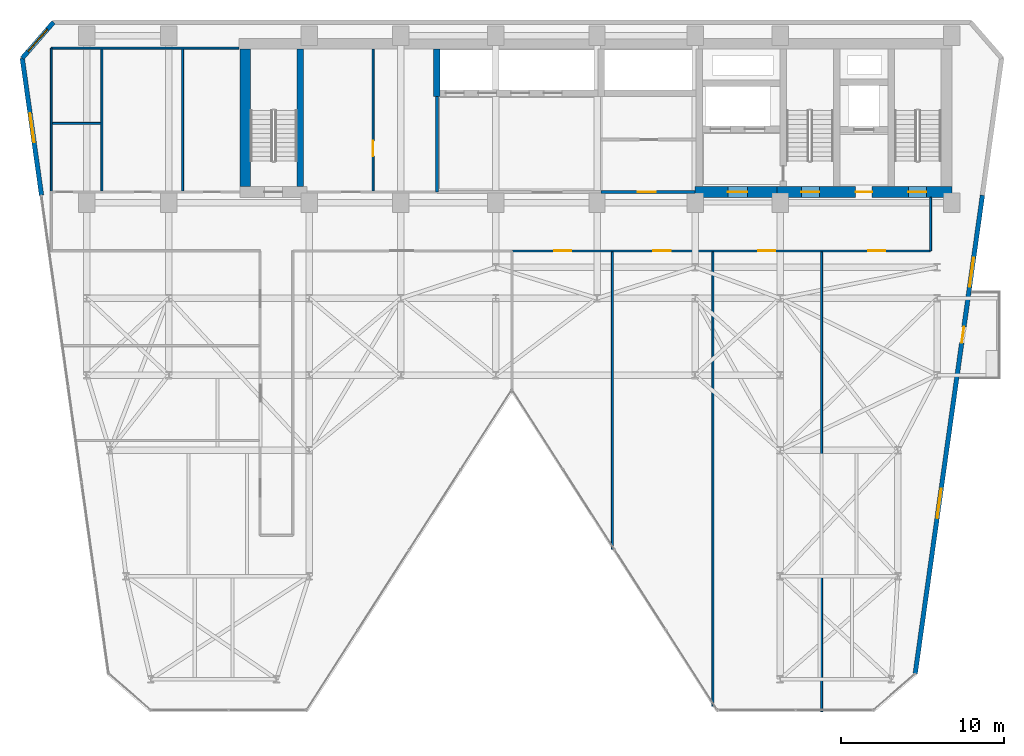
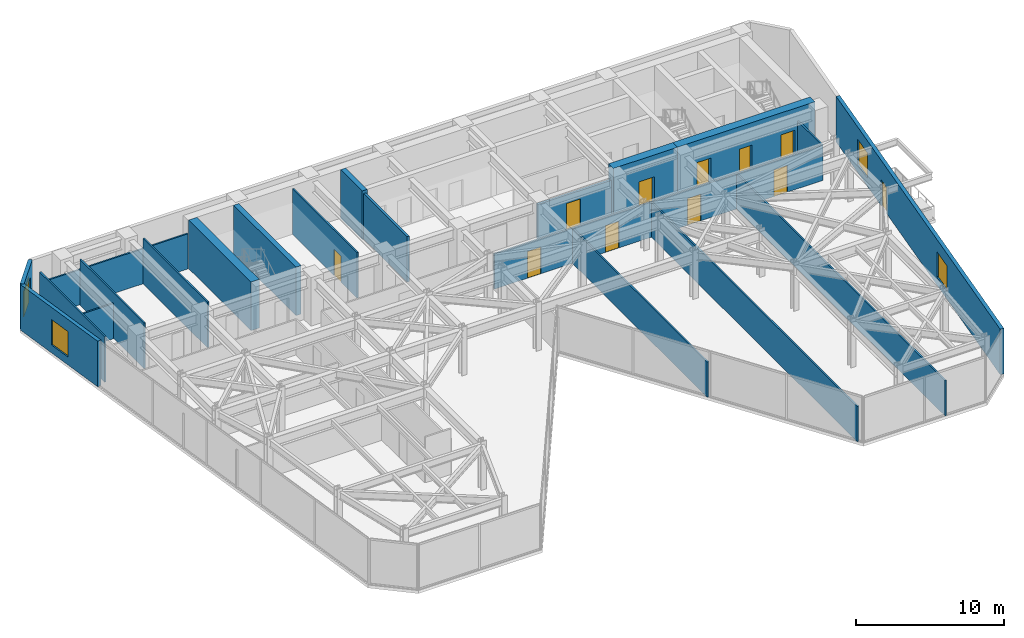
# One storey, part 22 of 26: 21 walls, 11 doors, 4 windows, 15 openings.
"""IFC4 building model written with IfcOpenShell, lengths in metres."""

from ifc_helpers import new_model, si_unit, direction, frame, frame_2d, origin, place, context, subcontext, project, spatial, rectangle, extrude, material, layer, layer_set, type_object, element, fill, save


model = new_model("IFC4")

# Units and contexts
model_context = context("Model", 3, precision=1e-05, world=origin(), true_north=direction((0.0, 1.0)))
body_context = subcontext(model_context, "Body", "Model", "MODEL_VIEW")
ifc_project = project(units=[si_unit("LENGTHUNIT", "METRE"), si_unit("AREAUNIT", "SQUARE_METRE"), si_unit("VOLUMEUNIT", "CUBIC_METRE"), si_unit("PLANEANGLEUNIT", "RADIAN"), si_unit("MASSUNIT", "GRAM", prefix="KILO")], contexts=[model_context])

# Site, building, storey
site_placement = place(None, origin())
site = spatial("IfcSite", under=ifc_project, at=site_placement, CompositionType="ELEMENT")
building_placement = place(site_placement, origin())
building = spatial("IfcBuilding", under=site, at=building_placement, Name="Kravanh Interchange Tower", CompositionType="ELEMENT")
storey_placement = place(building_placement, frame((0.0, 0.0, 136.0)))
storey = spatial("IfcBuildingStorey", under=building, at=storey_placement, Name="L32", CompositionType="ELEMENT", Elevation=136.0)

# Wall, opening, door
ifc_material_1 = material(Name="Double Acoustic Gypsum Board and Mineral Wool")
ifc_layer_1 = layer(ifc_material_1, 0.1201171875)
ifc_layer_set_1 = layer_set([ifc_layer_1], Name="Acoustic Office Drywall Partition 120mm")
wall_type_1 = type_object("IfcWallType", Name="Acoustic Office Drywall Partition 120mm", PredefinedType="PARTITIONING", material=ifc_layer_set_1)
wall_1_placement = place(storey_placement, frame((31.10009765625, 38.068115234375, 0.0), z_axis=(0.0, 0.0, 1.0), x_axis=(0.0, 1.0, 0.0)))
wall_1 = element("IfcWall", 1, at=wall_1_placement, inside=storey, type_object=wall_type_1, Name="L32 Interior Partition 5", PredefinedType="PARTITIONING", context=body_context, shape_type="SweptSolid", body=[
    extrude(rectangle(XDim=8.673828125, YDim=0.1201171875, at=frame_2d((4.3369140625, 0.0))), origin(), (0.0, 0.0, 1.0), 3.75),
])
opening_1_placement = place(wall_1_placement, frame((2.115966796875, 0.0, 0.0)))
opening_1 = element("IfcOpeningElement", 2, at=opening_1_placement, cuts=wall_1, Name="Opening D-95", PredefinedType="OPENING", context=body_context, shape_type="SweptSolid", body=[
    extrude(rectangle(XDim=0.949951171875, YDim=2.14990234375, at=frame_2d((0.47509765625, 1.074951171875))), frame((0.0, 0.070068359375, 0.0), z_axis=(0.0, -1.0, 0.0), x_axis=(1.0, 0.0, 0.0)), (0.0, 0.0, 1.0), 0.14013671875),
])
ifc_material_2 = material(Name="Laminate Solid-Core Timber", Category="wood")
door_type_1 = type_object("IfcDoorType", Name="Accessible Restroom Door 950x2150", OperationType="NOTDEFINED", PredefinedType="DOOR", material=ifc_material_2)
door_1_placement = place(opening_1_placement, origin())
door_1 = element("IfcDoor", 3, at=door_1_placement, inside=storey, type_object=door_type_1, Name="L32 Reclaimed Archive Inner Door", OperationType="SINGLE_SWING_LEFT", OverallHeight=2.14990234375, OverallWidth=0.949951171875, PredefinedType="DOOR", context=body_context, shape_type="SweptSolid", body=[
    extrude(rectangle(XDim=0.949951171875, YDim=2.14990234375, at=frame_2d((0.47509765625, 1.074951171875))), frame((0.0, 0.02490234375, 0.0), z_axis=(0.0, -1.0, 0.0), x_axis=(1.0, 0.0, 0.0)), (0.0, 0.0, 1.0), 0.050048828125),
])
fill(opening_1, door_1)

# Walls
wall_2_placement = place(storey_placement, frame((11.419921875, 38.0, 0.0), z_axis=(0.0, 0.0, 1.0), x_axis=(0.0, 1.0, 0.0)))
element("IfcWall", 4, at=wall_2_placement, inside=storey, type_object=wall_type_1, Name="L32 Restroom West Enclosure 8", PredefinedType="PARTITIONING", context=body_context, shape_type="SweptSolid", body=[
    extrude(rectangle(XDim=8.800048828125, YDim=0.1201171875, at=frame_2d((4.39990234375, 0.0))), origin(), (0.0, 0.0, 1.0), 3.75),
])
wall_3_placement = place(storey_placement, frame((11.419921875, 46.800048828125, 0.0), z_axis=(0.0, 0.0, 1.0), x_axis=(1.0, 0.0, 0.0)))
element("IfcWall", 5, at=wall_3_placement, inside=storey, type_object=wall_type_1, Name="L32 Restroom North Enclosure 9", PredefinedType="PARTITIONING", context=body_context, shape_type="SweptSolid", body=[
    extrude(rectangle(XDim=11.47998046875, YDim=0.1201171875, at=frame_2d((5.739990234375, 0.0))), origin(), (0.0, 0.0, 1.0), 2.89404296875),
])
for number, where, z_axis, x_axis, name in (
    (6, (14.52001953125, 38.068115234375, 0.0), (0.0, 0.0, 1.0), (0.0, 1.0, 0.0), "L32 Interior Partition 10"),
    (7, (19.449951171875, 38.068115234375, 0.0), (0.0, 0.0, 1.0), (0.0, 1.0, 0.0), "L32 Interior Partition 11"),
):
    element("IfcWall", number, at=place(storey_placement, frame(where, z_axis=z_axis, x_axis=x_axis)), inside=storey, type_object=wall_type_1, Name=name, PredefinedType="PARTITIONING", context=body_context, shape_type="SweptSolid", body=[
        extrude(rectangle(XDim=8.663818359375, YDim=0.1201171875, at=frame_2d((4.33203125, 0.0))), origin(), (0.0, 0.0, 1.0), 3.75),
    ])
wall_4_placement = place(storey_placement, frame((11.488037109375, 42.199951171875, 0.0), z_axis=(0.0, 0.0, 1.0), x_axis=(1.0, 0.0, 0.0)))
element("IfcWall", 8, at=wall_4_placement, inside=storey, type_object=wall_type_1, Name="L32 Interior Partition 12", PredefinedType="PARTITIONING", context=body_context, shape_type="SweptSolid", body=[
    extrude(rectangle(XDim=2.9638671875, YDim=0.1201171875, at=frame_2d((1.48193359375, 0.0))), origin(), (0.0, 0.0, 1.0), 2.89404296875),
])

# Wall, openings, doors
wall_5_placement = place(storey_placement, frame((39.60009765625, 34.39990234375, 0.0), z_axis=(0.0, 0.0, 1.0), x_axis=(1.0, 0.0, 0.0)))
wall_5 = element("IfcWall", 9, at=wall_5_placement, inside=storey, type_object=wall_type_1, Name="L32 Interior Partition 15", PredefinedType="PARTITIONING", context=body_context, shape_type="SweptSolid", body=[
    extrude(rectangle(XDim=25.599853515625, YDim=0.1201171875, at=frame_2d((12.7998046875, 0.0))), origin(), (0.0, 0.0, 1.0), 2.89404296875),
])
opening_2_placement = place(wall_5_placement, frame((2.585205078125, 0.0, 0.0)))
opening_2 = element("IfcOpeningElement", 10, at=opening_2_placement, cuts=wall_5, Name="Opening D-105", PredefinedType="OPENING", context=body_context, shape_type="SweptSolid", body=[
    extrude(rectangle(XDim=1.050048828125, YDim=2.199951171875, at=frame_2d((0.52490234375, 1.10009765625))), frame((0.0, 0.070068359375, 0.0), z_axis=(0.0, -1.0, 0.0), x_axis=(1.0, 0.0, 0.0)), (0.0, 0.0, 1.0), 0.14013671875),
])
opening_3_placement = place(wall_5_placement, frame((8.649658203125, 0.0, 0.0)))
opening_3 = element("IfcOpeningElement", 11, at=opening_3_placement, cuts=wall_5, Name="Opening D-105", PredefinedType="OPENING", context=body_context, shape_type="SweptSolid", body=[
    extrude(rectangle(XDim=1.050048828125, YDim=2.199951171875, at=frame_2d((0.52490234375, 1.10009765625))), frame((0.0, 0.070068359375, 0.0), z_axis=(0.0, -1.0, 0.0), x_axis=(1.0, 0.0, 0.0)), (0.0, 0.0, 1.0), 0.14013671875),
])
opening_4_placement = place(wall_5_placement, frame((15.049560546875, 0.0, 0.0)))
opening_4 = element("IfcOpeningElement", 12, at=opening_4_placement, cuts=wall_5, Name="Opening D-105", PredefinedType="OPENING", context=body_context, shape_type="SweptSolid", body=[
    extrude(rectangle(XDim=1.050048828125, YDim=2.199951171875, at=frame_2d((0.52490234375, 1.10009765625))), frame((0.0, 0.070068359375, 0.0), z_axis=(0.0, -1.0, 0.0), x_axis=(1.0, 0.0, 0.0)), (0.0, 0.0, 1.0), 0.14013671875),
])
opening_5_placement = place(wall_5_placement, frame((21.78564453125, 0.0, 0.0)))
opening_5 = element("IfcOpeningElement", 13, at=opening_5_placement, cuts=wall_5, Name="Opening D-105", PredefinedType="OPENING", context=body_context, shape_type="SweptSolid", body=[
    extrude(rectangle(XDim=1.050048828125, YDim=2.199951171875, at=frame_2d((0.52490234375, 1.10009765625))), frame((0.0, 0.070068359375, 0.0), z_axis=(0.0, -1.0, 0.0), x_axis=(1.0, 0.0, 0.0)), (0.0, 0.0, 1.0), 0.14013671875),
])
ifc_material_3 = material(Name="Acoustic Glazed Oak and Aluminium", Category="aluminium")
door_type_2 = type_object("IfcDoorType", Name="Office Workplace Door 1050x2200", OperationType="NOTDEFINED", PredefinedType="DOOR", material=ifc_material_3)
door_2_placement = place(opening_2_placement, origin())
door_2 = element("IfcDoor", 14, at=door_2_placement, inside=storey, type_object=door_type_2, Name="L32 Advisory Office B Door", OperationType="SINGLE_SWING_RIGHT", OverallHeight=2.199951171875, OverallWidth=1.050048828125, PredefinedType="DOOR", context=body_context, shape_type="SweptSolid", body=[
    extrude(rectangle(XDim=1.050048828125, YDim=2.199951171875, at=frame_2d((0.52490234375, 1.10009765625))), frame((0.0, 0.02490234375, 0.0), z_axis=(0.0, -1.0, 0.0), x_axis=(1.0, 0.0, 0.0)), (0.0, 0.0, 1.0), 0.050048828125),
])
fill(opening_2, door_2)
door_3_placement = place(opening_3_placement, origin())
door_3 = element("IfcDoor", 15, at=door_3_placement, inside=storey, type_object=door_type_2, Name="L32 Client Salon Lounge Door", OperationType="SINGLE_SWING_LEFT", OverallHeight=2.199951171875, OverallWidth=1.050048828125, PredefinedType="DOOR", context=body_context, shape_type="SweptSolid", body=[
    extrude(rectangle(XDim=1.050048828125, YDim=2.199951171875, at=frame_2d((0.52490234375, 1.10009765625))), frame((0.0, 0.02490234375, 0.0), z_axis=(0.0, -1.0, 0.0), x_axis=(1.0, 0.0, 0.0)), (0.0, 0.0, 1.0), 0.050048828125),
])
fill(opening_3, door_3)
door_4_placement = place(opening_4_placement, origin())
door_4 = element("IfcDoor", 16, at=door_4_placement, inside=storey, type_object=door_type_2, Name="L32 East Balcony Office C Door", OperationType="SINGLE_SWING_RIGHT", OverallHeight=2.199951171875, OverallWidth=1.050048828125, PredefinedType="DOOR", context=body_context, shape_type="SweptSolid", body=[
    extrude(rectangle(XDim=1.050048828125, YDim=2.199951171875, at=frame_2d((0.52490234375, 1.10009765625))), frame((0.0, 0.02490234375, 0.0), z_axis=(0.0, -1.0, 0.0), x_axis=(1.0, 0.0, 0.0)), (0.0, 0.0, 1.0), 0.050048828125),
])
fill(opening_4, door_4)
door_5_placement = place(opening_5_placement, origin())
door_5 = element("IfcDoor", 17, at=door_5_placement, inside=storey, type_object=door_type_2, Name="L32 Supply Store A Door", OperationType="SINGLE_SWING_LEFT", OverallHeight=2.199951171875, OverallWidth=1.050048828125, PredefinedType="DOOR", context=body_context, shape_type="SweptSolid", body=[
    extrude(rectangle(XDim=1.050048828125, YDim=2.199951171875, at=frame_2d((0.52490234375, 1.10009765625))), frame((0.0, 0.02490234375, 0.0), z_axis=(0.0, -1.0, 0.0), x_axis=(1.0, 0.0, 0.0)), (0.0, 0.0, 1.0), 0.050048828125),
])
fill(opening_5, door_5)

# Walls
wall_6_placement = place(storey_placement, frame((65.199951171875, 34.39990234375, 0.0), z_axis=(0.0, 0.0, 1.0), x_axis=(0.0, 1.0, 0.0)))
element("IfcWall", 18, at=wall_6_placement, inside=storey, type_object=wall_type_1, Name="L32 Interior Partition 17", PredefinedType="PARTITIONING", context=body_context, shape_type="SweptSolid", body=[
    extrude(rectangle(XDim=3.26708984375, YDim=0.1201171875, at=frame_2d((1.633544921875, 0.0))), origin(), (0.0, 0.0, 1.0), 2.89404296875),
])
wall_7_placement = place(storey_placement, frame((45.739990234375, 16.1494140625, 0.0), z_axis=(0.0, 0.0, 1.0), x_axis=(0.0, 1.0, 0.0)))
element("IfcWall", 19, at=wall_7_placement, inside=storey, type_object=wall_type_1, Name="L32 Interior Partition 24", PredefinedType="PARTITIONING", context=body_context, shape_type="SweptSolid", body=[
    extrude(rectangle(XDim=18.1826171875, YDim=0.1201171875, at=frame_2d((9.09130859375, 0.0))), origin(), (0.0, 0.0, 1.0), 2.89404296875),
])
wall_8_placement = place(storey_placement, frame((51.889892578125, 6.555419921875, 0.0), z_axis=(0.0, 0.0, 1.0), x_axis=(0.0, 1.0, 0.0)))
element("IfcWall", 20, at=wall_8_placement, inside=storey, type_object=wall_type_1, Name="L32 Interior Partition 25", PredefinedType="PARTITIONING", context=body_context, shape_type="SweptSolid", body=[
    extrude(rectangle(XDim=27.776611328125, YDim=0.1201171875, at=frame_2d((13.88818359375, 0.0))), origin(), (0.0, 0.0, 1.0), 2.89404296875),
])
wall_9_placement = place(storey_placement, frame((58.5400390625, 6.215087890625, 0.0), z_axis=(0.0, 0.0, 1.0), x_axis=(0.0, 1.0, 0.0)))
element("IfcWall", 21, at=wall_9_placement, inside=storey, type_object=wall_type_1, Name="L32 Interior Partition 26", PredefinedType="PARTITIONING", context=body_context, shape_type="SweptSolid", body=[
    extrude(rectangle(XDim=28.116943359375, YDim=0.1201171875, at=frame_2d((14.05859375, 0.0))), origin(), (0.0, 0.0, 1.0), 2.89404296875),
])

# Wall, openings, doors
ifc_material_4 = material(Name="Concrete C70/85", Category="concrete")
ifc_layer_2 = layer(ifc_material_4, 0.64990234375)
ifc_layer_set_2 = layer_set([ifc_layer_2], Name="Core Shear Wall Concrete C70/85 650mm")
wall_type_2 = type_object("IfcWallType", Name="Core Shear Wall Concrete C70/85 650mm", PredefinedType="SHEAR", material=ifc_layer_set_2)
wall_10_placement = place(storey_placement, frame((55.800048828125, 38.0, 0.0), z_axis=(0.0, 0.0, 1.0), x_axis=(1.0, 0.0, 0.0)))
wall_10 = element("IfcWall", 22, at=wall_10_placement, inside=storey, type_object=wall_type_2, Name="L32 East Core South Shear Wall", PredefinedType="SHEAR", context=body_context, shape_type="SweptSolid", body=[
    extrude(rectangle(XDim=10.699951171875, YDim=0.64990234375, at=frame_2d((5.35009765625, 0.0))), origin(), (0.0, 0.0, 1.0), 4.0),
])
opening_6_placement = place(wall_10_placement, frame((1.5, 0.0, 0.0)))
opening_6 = element("IfcOpeningElement", 23, at=opening_6_placement, cuts=wall_10, Name="Opening D-STAIR-110", PredefinedType="OPENING", context=body_context, shape_type="SweptSolid", body=[
    extrude(rectangle(XDim=1.10009765625, YDim=2.199951171875, at=frame_2d((0.550048828125, 1.10009765625))), frame((0.0, 0.3349609375, 0.0), z_axis=(0.0, -1.0, 0.0), x_axis=(1.0, 0.0, 0.0)), (0.0, 0.0, 1.0), 0.669921875),
])
opening_7_placement = place(wall_10_placement, frame((4.820068359375, 0.0, 0.0)))
opening_7 = element("IfcOpeningElement", 24, at=opening_7_placement, cuts=wall_10, Name="Opening D-HOTEL-100", PredefinedType="OPENING", context=body_context, shape_type="SweptSolid", body=[
    extrude(rectangle(XDim=1.0, YDim=2.14990234375, at=frame_2d((0.5, 1.074951171875))), frame((0.0, 0.3349609375, 0.0), z_axis=(0.0, -1.0, 0.0), x_axis=(1.0, 0.0, 0.0)), (0.0, 0.0, 1.0), 0.669921875),
])
opening_8_placement = place(wall_10_placement, frame((8.050048828125, 0.0, 0.0)))
opening_8 = element("IfcOpeningElement", 25, at=opening_8_placement, cuts=wall_10, Name="Opening D-STAIR-110", PredefinedType="OPENING", context=body_context, shape_type="SweptSolid", body=[
    extrude(rectangle(XDim=1.10009765625, YDim=2.199951171875, at=frame_2d((0.550048828125, 1.10009765625))), frame((0.0, 0.3349609375, 0.0), z_axis=(0.0, -1.0, 0.0), x_axis=(1.0, 0.0, 0.0)), (0.0, 0.0, 1.0), 0.669921875),
])
ifc_material_5 = material(Name="Structural Steel S355", Category="steel")
door_type_3 = type_object("IfcDoorType", Name="Fire-Rated Exit Stair Door 1100x2200", OperationType="NOTDEFINED", PredefinedType="DOOR", material=ifc_material_5)
door_6_placement = place(opening_6_placement, origin())
door_6 = element("IfcDoor", 26, at=door_6_placement, inside=storey, type_object=door_type_3, Name="L32 Exit Stair ST2 Door", OperationType="SINGLE_SWING_RIGHT", OverallHeight=2.199951171875, OverallWidth=1.10009765625, PredefinedType="DOOR", context=body_context, shape_type="SweptSolid", body=[
    extrude(rectangle(XDim=1.10009765625, YDim=2.199951171875, at=frame_2d((0.550048828125, 1.10009765625))), frame((0.0, 0.02490234375, 0.0), z_axis=(0.0, -1.0, 0.0), x_axis=(1.0, 0.0, 0.0)), (0.0, 0.0, 1.0), 0.050048828125),
])
fill(opening_6, door_6)
door_7_placement = place(opening_8_placement, origin())
door_7 = element("IfcDoor", 27, at=door_7_placement, inside=storey, type_object=door_type_3, Name="L32 Exit Stair ST1 Door", OperationType="SINGLE_SWING_RIGHT", OverallHeight=2.199951171875, OverallWidth=1.10009765625, PredefinedType="DOOR", context=body_context, shape_type="SweptSolid", body=[
    extrude(rectangle(XDim=1.10009765625, YDim=2.199951171875, at=frame_2d((0.550048828125, 1.10009765625))), frame((0.0, 0.02490234375, 0.0), z_axis=(0.0, -1.0, 0.0), x_axis=(1.0, 0.0, 0.0)), (0.0, 0.0, 1.0), 0.050048828125),
])
fill(opening_8, door_7)
ifc_material_6 = material(Name="Fire-Rated Solid Timber Leaf", Category="wood")
door_type_4 = type_object("IfcDoorType", Name="Fire-Rated Suite Entrance Door 1000x2150", OperationType="NOTDEFINED", PredefinedType="DOOR", material=ifc_material_6)
door_8_placement = place(opening_7_placement, origin())
door_8 = element("IfcDoor", 28, at=door_8_placement, inside=storey, type_object=door_type_4, Name="L32 Service Lift Lobby Door", OperationType="SINGLE_SWING_RIGHT", OverallHeight=2.14990234375, OverallWidth=1.0, PredefinedType="DOOR", context=body_context, shape_type="SweptSolid", body=[
    extrude(rectangle(XDim=1.0, YDim=2.14990234375, at=frame_2d((0.5, 1.074951171875))), frame((0.0, 0.02490234375, 0.0), z_axis=(0.0, -1.0, 0.0), x_axis=(1.0, 0.0, 0.0)), (0.0, 0.0, 1.0), 0.050048828125),
])
fill(opening_7, door_8)

# Wall, opening, door
wall_11_placement = place(storey_placement, frame((50.800048828125, 38.0, 0.0), z_axis=(0.0, 0.0, 1.0), x_axis=(1.0, 0.0, 0.0)))
wall_11 = element("IfcWall", 29, at=wall_11_placement, inside=storey, type_object=wall_type_2, Name="L32 Firefighting Lobby South Shear Wall", PredefinedType="SHEAR", context=body_context, shape_type="SweptSolid", body=[
    extrude(rectangle(XDim=5.0, YDim=0.64990234375, at=frame_2d((2.5, 0.0))), origin(), (0.0, 0.0, 1.0), 4.0),
])
opening_9_placement = place(wall_11_placement, frame((2.0, 0.0, 0.0)))
opening_9 = element("IfcOpeningElement", 30, at=opening_9_placement, cuts=wall_11, Name="Opening D-FSAE-120", PredefinedType="OPENING", context=body_context, shape_type="SweptSolid", body=[
    extrude(rectangle(XDim=1.199951171875, YDim=2.199951171875, at=frame_2d((0.60009765625, 1.10009765625))), frame((0.0, 0.3349609375, 0.0), z_axis=(0.0, -1.0, 0.0), x_axis=(1.0, 0.0, 0.0)), (0.0, 0.0, 1.0), 0.669921875),
])
ifc_material_7 = material(Name="Structural Steel S355", Category="steel")
door_type_5 = type_object("IfcDoorType", Name="Fire-Rated Refuge and FSAE Door 1200x2200", OperationType="NOTDEFINED", PredefinedType="DOOR", material=ifc_material_7)
door_9_placement = place(opening_9_placement, origin())
door_9 = element("IfcDoor", 31, at=door_9_placement, inside=storey, type_object=door_type_5, Name="L32 Firefighting Lobby Corridor Door", OperationType="SINGLE_SWING_RIGHT", OverallHeight=2.199951171875, OverallWidth=1.199951171875, PredefinedType="DOOR", context=body_context, shape_type="SweptSolid", body=[
    extrude(rectangle(XDim=1.199951171875, YDim=2.199951171875, at=frame_2d((0.60009765625, 1.10009765625))), frame((0.0, 0.02490234375, 0.0), z_axis=(0.0, -1.0, 0.0), x_axis=(1.0, 0.0, 0.0)), (0.0, 0.0, 1.0), 0.050048828125),
])
fill(opening_9, door_9)

# Walls
wall_12_placement = place(storey_placement, frame((23.27490234375, 38.324951171875, 0.0), z_axis=(0.0, 0.0, 1.0), x_axis=(0.0, 1.0, 0.0)))
element("IfcWall", 32, at=wall_12_placement, inside=storey, type_object=wall_type_2, Name="L32 Stair ST3 West Shear Wall", PredefinedType="SHEAR", context=body_context, shape_type="SweptSolid", body=[
    extrude(rectangle(XDim=8.425048828125, YDim=0.64990234375, at=frame_2d((4.21240234375, 0.0))), origin(), (0.0, 0.0, 1.0), 4.0),
])
ifc_material_8 = material(Name="Concrete C80/95", Category="concrete")
ifc_layer_3 = layer(ifc_material_8, 0.39990234375)
ifc_layer_set_3 = layer_set([ifc_layer_3], Name="Core Shear Wall Concrete C80/95 400mm")
wall_type_3 = type_object("IfcWallType", Name="Core Shear Wall Concrete C80/95 400mm", PredefinedType="SHEAR", material=ifc_layer_set_3)
wall_13_placement = place(storey_placement, frame((35.0, 43.85009765625, 0.0), z_axis=(0.0, 0.0, 1.0), x_axis=(0.0, 1.0, 0.0)))
element("IfcWall", 33, at=wall_13_placement, inside=storey, type_object=wall_type_3, Name="L32 Mid-Rise Lift Shaft West Wall", PredefinedType="SHEAR", context=body_context, shape_type="SweptSolid", body=[
    extrude(rectangle(XDim=2.89990234375, YDim=0.39990234375, at=frame_2d((1.449951171875, 0.0))), origin(), (0.0, 0.0, 1.0), 4.0),
])
wall_14_placement = place(storey_placement, frame((26.64990234375, 38.324951171875, 0.0), z_axis=(0.0, 0.0, 1.0), x_axis=(0.0, 1.0, 0.0)))
element("IfcWall", 34, at=wall_14_placement, inside=storey, type_object=wall_type_3, Name="L32 Stair ST3 East Shear Wall", PredefinedType="SHEAR", context=body_context, shape_type="SweptSolid", body=[
    extrude(rectangle(XDim=8.425048828125, YDim=0.39990234375, at=frame_2d((4.21240234375, 0.0))), origin(), (0.0, 0.0, 1.0), 4.0),
])

# Wall, opening, window
ifc_material_9 = material(Name="Insulated Precast Concrete C40/50 with Bronze Cladding", Category="concrete")
ifc_layer_4 = layer(ifc_material_9, 0.280029296875)
ifc_layer_set_4 = layer_set([ifc_layer_4], Name="Exterior Insulated Concrete C40/50 Bronze Spandrel Wall 280mm")
wall_type_4 = type_object("IfcWallType", Name="Exterior Insulated Concrete C40/50 Bronze Spandrel Wall 280mm", PredefinedType="STANDARD", material=ifc_layer_set_4)
wall_15_placement = place(storey_placement, frame((10.824951171875, 37.800048828125, 0.0), z_axis=(0.0, 0.0, 1.0), x_axis=(-0.139180610108, 0.990267013371, 0.0)))
wall_15 = element("IfcWall", 35, at=wall_15_placement, inside=storey, type_object=wall_type_4, Name="L32 Exterior Wall 1", PredefinedType="STANDARD", context=body_context, shape_type="SweptSolid", body=[
    extrude(rectangle(XDim=8.46728515625, YDim=0.280029296875, at=frame_2d((4.233642578125, 0.0))), origin(), (0.0, 0.0, 1.0), 3.75),
])
opening_10_placement = place(wall_15_placement, frame((3.273193359375, 0.0, 0.64990234375)))
opening_10 = element("IfcOpeningElement", 36, at=opening_10_placement, cuts=wall_15, Name="Opening WN-180X210", PredefinedType="OPENING", context=body_context, shape_type="SweptSolid", body=[
    extrude(rectangle(XDim=1.800048828125, YDim=2.10009765625, at=frame_2d((0.89990234375, 1.050048828125))), frame((0.0, 0.14990234375, 0.0), z_axis=(0.0, -1.0, 0.0), x_axis=(1.0, 0.0, 0.0)), (0.0, 0.0, 1.0), 0.300048828125),
])
ifc_material_10 = material(Name="Thermally Broken Bronze Aluminium and Low-E Glass", Category="aluminium")
window_type = type_object("IfcWindowType", Name="Tower Pier Window 1800x2100", PartitioningType="SINGLE_PANEL", PredefinedType="WINDOW", material=ifc_material_10)
window_1_placement = place(opening_10_placement, origin())
window_1 = element("IfcWindow", 37, at=window_1_placement, inside=storey, type_object=window_type, Name="L32 Corner Window 1", OverallHeight=2.10009765625, OverallWidth=1.800048828125, PartitioningType="SINGLE_PANEL", PredefinedType="WINDOW", context=body_context, shape_type="SweptSolid", body=[
    extrude(rectangle(XDim=1.800048828125, YDim=2.10009765625, at=frame_2d((0.89990234375, 1.050048828125))), frame((0.0, 0.030029296875, 0.0), z_axis=(0.0, -1.0, 0.0), x_axis=(1.0, 0.0, 0.0)), (0.0, 0.0, 1.0), 0.06005859375),
])
fill(opening_10, window_1)

wall_16_placement = place(storey_placement, frame((9.646484375, 46.184814453125, 0.0), z_axis=(0.0, 0.0, 1.0), x_axis=(0.656070644076, 0.754699483226, 0.0)))
wall_16 = element("IfcWall", 38, at=wall_16_placement, inside=storey, type_object=wall_type_4, Name="L32 Exterior Wall 2", PredefinedType="STANDARD", context=body_context, shape_type="SweptSolid", body=[
    extrude(rectangle(XDim=2.908447265625, YDim=0.280029296875, at=frame_2d((1.4541015625, 0.0))), origin(), (0.0, 0.0, 1.0), 3.75),
])
opening_11_placement = place(wall_16_placement, frame((0.541015625, 0.0, 0.64990234375)))
opening_11 = element("IfcOpeningElement", 39, at=opening_11_placement, cuts=wall_16, Name="Opening WN-180X210", PredefinedType="OPENING", context=body_context, shape_type="SweptSolid", body=[
    extrude(rectangle(XDim=1.800048828125, YDim=2.10009765625, at=frame_2d((0.89990234375, 1.050048828125))), frame((0.0, 0.14990234375, 0.0), z_axis=(0.0, -1.0, 0.0), x_axis=(1.0, 0.0, 0.0)), (0.0, 0.0, 1.0), 0.300048828125),
])
window_2_placement = place(opening_11_placement, origin())
window_2 = element("IfcWindow", 40, at=window_2_placement, inside=storey, type_object=window_type, Name="L32 Corner Window 2", OverallHeight=2.10009765625, OverallWidth=1.800048828125, PartitioningType="SINGLE_PANEL", PredefinedType="WINDOW", context=body_context, shape_type="SweptSolid", body=[
    extrude(rectangle(XDim=1.800048828125, YDim=2.10009765625, at=frame_2d((0.89990234375, 1.050048828125))), frame((0.0, 0.030029296875, 0.0), z_axis=(0.0, -1.0, 0.0), x_axis=(1.0, 0.0, 0.0)), (0.0, 0.0, 1.0), 0.06005859375),
])
fill(opening_11, window_2)

# Wall, openings, door, windows
wall_17_placement = place(storey_placement, frame((68.375, 37.800048828125, 0.0), z_axis=(0.0, 0.0, 1.0), x_axis=(-0.13917001236, -0.990268502811, 0.0)))
wall_17 = element("IfcWall", 41, at=wall_17_placement, inside=storey, type_object=wall_type_4, Name="L32 Exterior Wall 6", PredefinedType="STANDARD", context=body_context, shape_type="SweptSolid", body=[
    extrude(rectangle(XDim=29.548828125, YDim=0.280029296875, at=frame_2d((14.7744140625, 0.0))), origin(), (0.0, 0.0, 1.0), 3.75),
])
opening_12_placement = place(wall_17_placement, frame((8.1171875, 0.0, 0.0)))
opening_12 = element("IfcOpeningElement", 42, at=opening_12_placement, cuts=wall_17, Name="Opening ED-BAL100", PredefinedType="OPENING", context=body_context, shape_type="SweptSolid", body=[
    extrude(rectangle(XDim=1.0, YDim=2.14990234375, at=frame_2d((0.5, 1.074951171875))), frame((0.0, 0.14990234375, 0.0), z_axis=(0.0, -1.0, 0.0), x_axis=(1.0, 0.0, 0.0)), (0.0, 0.0, 1.0), 0.300048828125),
])
opening_13_placement = place(wall_17_placement, frame((3.851318359375, 0.0, 0.64990234375)))
opening_13 = element("IfcOpeningElement", 43, at=opening_13_placement, cuts=wall_17, Name="Opening WN-180X210", PredefinedType="OPENING", context=body_context, shape_type="SweptSolid", body=[
    extrude(rectangle(XDim=1.800048828125, YDim=2.10009765625, at=frame_2d((0.89990234375, 1.050048828125))), frame((0.0, 0.14990234375, 0.0), z_axis=(0.0, -1.0, 0.0), x_axis=(1.0, 0.0, 0.0)), (0.0, 0.0, 1.0), 0.300048828125),
])
opening_14_placement = place(wall_17_placement, frame((18.1357421875, 0.0, 0.64990234375)))
opening_14 = element("IfcOpeningElement", 44, at=opening_14_placement, cuts=wall_17, Name="Opening WN-180X210", PredefinedType="OPENING", context=body_context, shape_type="SweptSolid", body=[
    extrude(rectangle(XDim=1.800048828125, YDim=2.10009765625, at=frame_2d((0.89990234375, 1.050048828125))), frame((0.0, 0.14990234375, 0.0), z_axis=(0.0, -1.0, 0.0), x_axis=(1.0, 0.0, 0.0)), (0.0, 0.0, 1.0), 0.300048828125),
])
ifc_material_11 = material(Name="Thermally Broken Bronze Aluminium and Laminated Glass", Category="aluminium")
door_type_6 = type_object("IfcDoorType", Name="Balcony Glazed Door 1000x2150", OperationType="NOTDEFINED", PredefinedType="DOOR", material=ifc_material_11)
door_10_placement = place(opening_12_placement, origin())
door_10 = element("IfcDoor", 45, at=door_10_placement, inside=storey, type_object=door_type_6, Name="L32 E Tree Balcony Access Door", OperationType="SINGLE_SWING_LEFT", OverallHeight=2.14990234375, OverallWidth=1.0, PredefinedType="DOOR", context=body_context, shape_type="SweptSolid", body=[
    extrude(rectangle(XDim=1.0, YDim=2.14990234375, at=frame_2d((0.5, 1.074951171875))), frame((0.0, 0.02490234375, 0.0), z_axis=(0.0, -1.0, 0.0), x_axis=(1.0, 0.0, 0.0)), (0.0, 0.0, 1.0), 0.050048828125),
])
fill(opening_12, door_10)
window_3_placement = place(opening_13_placement, origin())
window_3 = element("IfcWindow", 46, at=window_3_placement, inside=storey, type_object=window_type, Name="L32 Facade Window 6A", OverallHeight=2.10009765625, OverallWidth=1.800048828125, PartitioningType="SINGLE_PANEL", PredefinedType="WINDOW", context=body_context, shape_type="SweptSolid", body=[
    extrude(rectangle(XDim=1.800048828125, YDim=2.10009765625, at=frame_2d((0.89990234375, 1.050048828125))), frame((0.0, 0.030029296875, 0.0), z_axis=(0.0, -1.0, 0.0), x_axis=(1.0, 0.0, 0.0)), (0.0, 0.0, 1.0), 0.06005859375),
])
fill(opening_13, window_3)
window_4_placement = place(opening_14_placement, origin())
window_4 = element("IfcWindow", 47, at=window_4_placement, inside=storey, type_object=window_type, Name="L32 Facade Window 6B", OverallHeight=2.10009765625, OverallWidth=1.800048828125, PartitioningType="SINGLE_PANEL", PredefinedType="WINDOW", context=body_context, shape_type="SweptSolid", body=[
    extrude(rectangle(XDim=1.800048828125, YDim=2.10009765625, at=frame_2d((0.89990234375, 1.050048828125))), frame((0.0, 0.030029296875, 0.0), z_axis=(0.0, -1.0, 0.0), x_axis=(1.0, 0.0, 0.0)), (0.0, 0.0, 1.0), 0.06005859375),
])
fill(opening_14, window_4)

# Wall, opening, door
ifc_material_12 = material(Name="Autoclaved Aerated Concrete C30/37 Blockwork", Category="masonry")
ifc_layer_5 = layer(ifc_material_12, 0.179931640625)
ifc_layer_set_5 = layer_set([ifc_layer_5], Name="Fire-Rated Lobby and Corridor Wall Concrete C30/37 180mm")
wall_type_5 = type_object("IfcWallType", Name="Fire-Rated Lobby and Corridor Wall Concrete C30/37 180mm", PredefinedType="STANDARD", material=ifc_layer_set_5)
wall_18_placement = place(storey_placement, frame((45.050048828125, 38.0, 0.0), z_axis=(0.0, 0.0, 1.0), x_axis=(1.0, 0.0, 0.0)))
wall_18 = element("IfcWall", 48, at=wall_18_placement, inside=storey, type_object=wall_type_5, Name="L32 Core South Enclosure 1", PredefinedType="STANDARD", context=body_context, shape_type="SweptSolid", body=[
    extrude(rectangle(XDim=5.75, YDim=0.179931640625, at=frame_2d((2.875, 0.0))), origin(), (0.0, 0.0, 1.0), 2.89404296875),
])
opening_15_placement = place(wall_18_placement, frame((2.240478515625, 0.0, 0.0)))
opening_15 = element("IfcOpeningElement", 49, at=opening_15_placement, cuts=wall_18, Name="Opening D-SHAFT-110", PredefinedType="OPENING", context=body_context, shape_type="SweptSolid", body=[
    extrude(rectangle(XDim=1.10009765625, YDim=2.199951171875, at=frame_2d((0.550048828125, 1.10009765625))), frame((0.0, 0.10009765625, 0.0), z_axis=(0.0, -1.0, 0.0), x_axis=(1.0, 0.0, 0.0)), (0.0, 0.0, 1.0), 0.199951171875),
])
ifc_material_13 = material(Name="Fire-Rated Composite Timber Leaf", Category="wood")
door_type_7 = type_object("IfcDoorType", Name="Fire-Rated Core Support Door 1100x2200", OperationType="NOTDEFINED", PredefinedType="DOOR", material=ifc_material_13)
door_11_placement = place(opening_15_placement, origin())
door_11 = element("IfcDoor", 50, at=door_11_placement, inside=storey, type_object=door_type_7, Name="L32 Core Telecom Room Door", OperationType="SINGLE_SWING_LEFT", OverallHeight=2.199951171875, OverallWidth=1.10009765625, PredefinedType="DOOR", context=body_context, shape_type="SweptSolid", body=[
    extrude(rectangle(XDim=1.10009765625, YDim=2.199951171875, at=frame_2d((0.550048828125, 1.10009765625))), frame((0.0, 0.02490234375, 0.0), z_axis=(0.0, -1.0, 0.0), x_axis=(1.0, 0.0, 0.0)), (0.0, 0.0, 1.0), 0.050048828125),
])
fill(opening_15, door_11)

# Wall
wall_19_placement = place(storey_placement, frame((35.0, 38.0, 0.0), z_axis=(0.0, 0.0, 1.0), x_axis=(0.0, 1.0, 0.0)))
element("IfcWall", 51, at=wall_19_placement, inside=storey, type_object=wall_type_5, Name="L32 Interior Partition 4", PredefinedType="STANDARD", context=body_context, shape_type="SweptSolid", body=[
    extrude(rectangle(XDim=5.85009765625, YDim=0.179931640625, at=frame_2d((2.925048828125, 0.0))), origin(), (0.0, 0.0, 1.0), 3.75),
])

save(model, "model.ifc")
